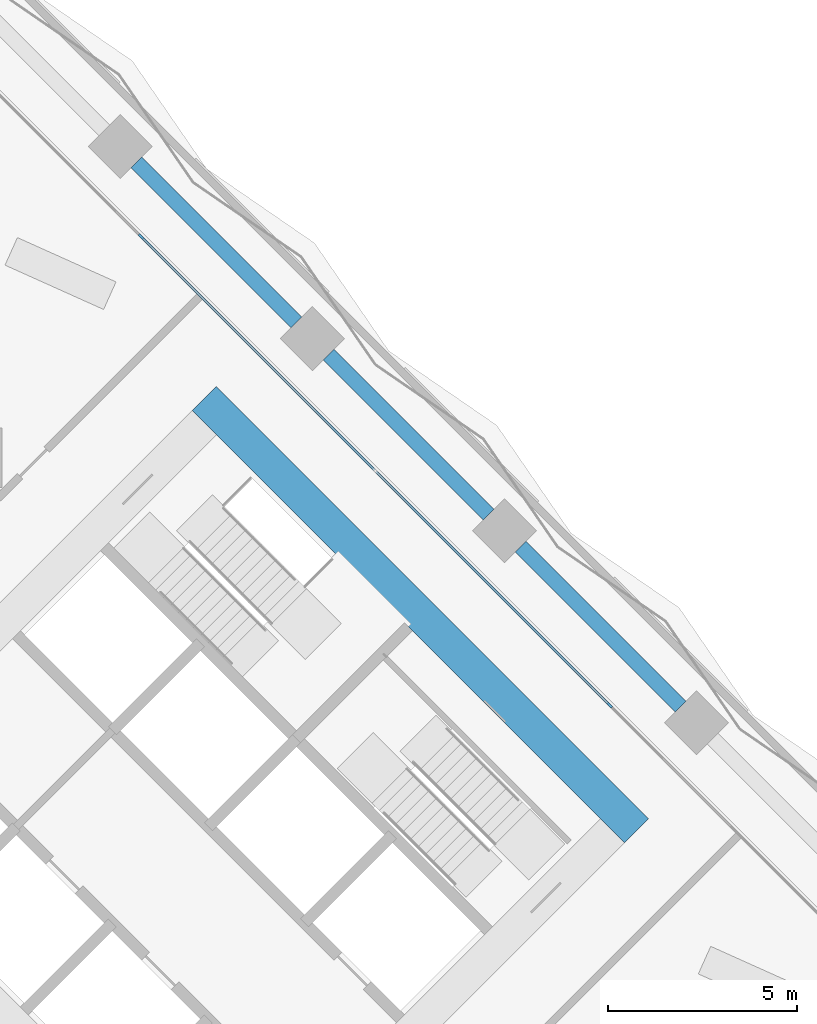
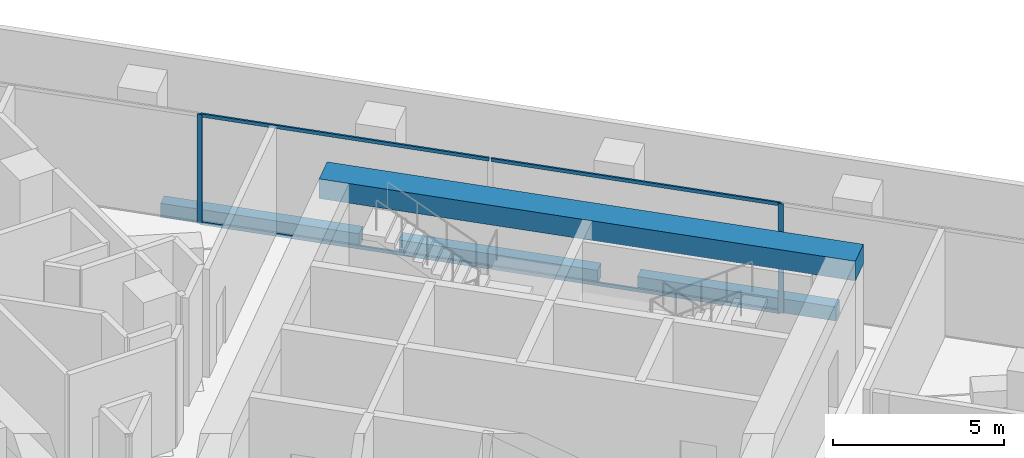
# One storey, part 11 of 24: 6 members, 4 beams, 1 element without a shape of its own.
"""IFC4 building model written with IfcOpenShell, lengths in metres."""

from ifc_helpers import new_model, si_unit, direction, frame, origin, origin_2d, place, context, subcontext, project, spatial, rectangle, extrude, material, material_profile, profile_set, type_object, element, aggregate, save


model = new_model("IFC4")

# Units and contexts
model_context = context("Model", 3, precision=1e-05, world=origin(), true_north=direction((0.0, 1.0)))
body_context = subcontext(model_context, "Body", "Model", "MODEL_VIEW")
ifc_project = project(units=[si_unit("LENGTHUNIT", "METRE"), si_unit("AREAUNIT", "SQUARE_METRE"), si_unit("VOLUMEUNIT", "CUBIC_METRE"), si_unit("PLANEANGLEUNIT", "RADIAN"), si_unit("MASSUNIT", "GRAM", prefix="KILO")], contexts=[model_context])

# Site, building, storey
site_placement = place(None, origin())
site = spatial("IfcSite", under=ifc_project, at=site_placement, CompositionType="ELEMENT")
building_placement = place(site_placement, origin())
building = spatial("IfcBuilding", under=site, at=building_placement, Name="Windrow Commons", CompositionType="ELEMENT")
storey_placement = place(building_placement, frame((0.0, 0.0, 67.8)))
storey = spatial("IfcBuildingStorey", under=building, at=storey_placement, Name="L18", CompositionType="ELEMENT", Elevation=67.8)

# Curtain wall, members
ifc_material_1 = material(Name="Clear laminated glass in Aluminium 6063-T6 anodised frame", Category="aluminium")
curtain_wall_type = type_object("IfcCurtainWallType", Name="Curtain wall CW2 sky lounge", PredefinedType="USERDEFINED", material=ifc_material_1)
curtain_wall_placement = place(storey_placement, origin())
curtain_wall = element("IfcCurtainWall", 1, at=curtain_wall_placement, inside=storey, type_object=curtain_wall_type, Name="Curtain wall CW2 L18 3", ObjectType="UNITISED", PredefinedType="USERDEFINED")
ifc_material_2 = material(Name="Aluminium 6063-T6", Category="aluminium")
ifc_material_profile_1 = material_profile(ifc_material_2, rectangle(XDim=0.06, YDim=0.16, at=origin_2d()))
ifc_profile_set_1 = profile_set([ifc_material_profile_1], Name="Aluminium 6063-T6")
member_type_1 = type_object("IfcMemberType", Name="CW2 mullion 60x160", PredefinedType="MULLION", material=ifc_profile_set_1)
member_1_placement = place(storey_placement, frame((97.2586, 52.1028, 0.0), z_axis=(0.0, 0.0, 1.0), x_axis=(-0.7071067812, -0.7071067812, 0.0)))
member_1 = element("IfcMember", 2, at=member_1_placement, type_object=member_type_1, Name="CW2 mullion 3", PredefinedType="MULLION", context=body_context, shape_type="SweptSolid", body=[
    extrude(rectangle(XDim=0.06, YDim=0.16, at=origin_2d()), origin(), (0.0, 0.0, 1.0), 3.9),
])
member_2_placement = place(storey_placement, frame((84.841, 64.5205, 0.0), z_axis=(0.0, 0.0, 1.0), x_axis=(-0.7071067812, -0.7071067812, 0.0)))
member_2 = element("IfcMember", 3, at=member_2_placement, type_object=member_type_1, Name="CW2 mullion 5", PredefinedType="MULLION", context=body_context, shape_type="SweptSolid", body=[
    extrude(rectangle(XDim=0.06, YDim=0.16, at=origin_2d()), origin(), (0.0, 0.0, 1.0), 3.9),
])
ifc_material_3 = material(Name="Aluminium 6063-T6", Category="aluminium")
ifc_material_profile_2 = material_profile(ifc_material_3, rectangle(XDim=0.06, YDim=0.12, at=origin_2d()))
ifc_profile_set_2 = profile_set([ifc_material_profile_2], Name="Aluminium 6063-T6")
member_type_2 = type_object("IfcMemberType", Name="CW2 transom 60x120", PredefinedType="USERDEFINED", material=ifc_profile_set_2)
member_3_placement = place(storey_placement, frame((97.2374, 52.124, 0.03), z_axis=(-0.7071067812, 0.7071067812, 0.0), x_axis=(-0.7071067812, -0.7071067812, 0.0)))
member_3 = element("IfcMember", 4, at=member_3_placement, type_object=member_type_2, Name="CW2 transom 3.1", ObjectType="TRANSOM", PredefinedType="USERDEFINED", context=body_context, shape_type="SweptSolid", body=[
    extrude(rectangle(XDim=0.06, YDim=0.12, at=origin_2d()), origin(), (0.0, 0.0, 1.0), 8.7206),
])
member_4_placement = place(storey_placement, frame((97.2374, 52.124, 3.87), z_axis=(-0.7071067812, 0.7071067812, 0.0), x_axis=(-0.7071067812, -0.7071067812, 0.0)))
member_4 = element("IfcMember", 5, at=member_4_placement, type_object=member_type_2, Name="CW2 transom 3.2", ObjectType="TRANSOM", PredefinedType="USERDEFINED", context=body_context, shape_type="SweptSolid", body=[
    extrude(rectangle(XDim=0.06, YDim=0.12, at=origin_2d()), origin(), (0.0, 0.0, 1.0), 8.7206),
])
member_5_placement = place(storey_placement, frame((91.0286, 58.3329, 0.03), z_axis=(-0.7071067812, 0.7071067812, 0.0), x_axis=(-0.7071067812, -0.7071067812, 0.0)))
member_5 = element("IfcMember", 6, at=member_5_placement, type_object=member_type_2, Name="CW2 transom 4.1", ObjectType="TRANSOM", PredefinedType="USERDEFINED", context=body_context, shape_type="SweptSolid", body=[
    extrude(rectangle(XDim=0.06, YDim=0.12, at=origin_2d()), origin(), (0.0, 0.0, 1.0), 8.7206),
])
member_6_placement = place(storey_placement, frame((91.0286, 58.3329, 3.87), z_axis=(-0.7071067812, 0.7071067812, 0.0), x_axis=(-0.7071067812, -0.7071067812, 0.0)))
member_6 = element("IfcMember", 7, at=member_6_placement, type_object=member_type_2, Name="CW2 transom 4.2", ObjectType="TRANSOM", PredefinedType="USERDEFINED", context=body_context, shape_type="SweptSolid", body=[
    extrude(rectangle(XDim=0.06, YDim=0.12, at=origin_2d()), origin(), (0.0, 0.0, 1.0), 8.7206),
])
aggregate(curtain_wall, [member_1, member_2, member_3, member_4, member_5, member_6])

# Beams
ifc_material_4 = material(Name="Concrete C60/75", Category="concrete")
ifc_material_profile_3 = material_profile(ifc_material_4, rectangle(XDim=0.9, YDim=0.7, at=origin_2d()))
ifc_profile_set_3 = profile_set([ifc_material_profile_3], Name="Concrete C60/75")
beam_type_1 = type_object("IfcBeamType", Name="RC COUPLING BEAM 900x700 C60/75", PredefinedType="LINTEL", material=ifc_profile_set_3)
beam_1_placement = place(storey_placement, frame((86.5186, 60.2267, 3.55), z_axis=(0.7071036948, -0.7071098676, 0.0), x_axis=(0.7071098676, 0.7071036948, 0.0)))
element("IfcBeam", 8, at=beam_1_placement, inside=storey, type_object=beam_type_1, Name="Core B coupling beam outer-N", PredefinedType="LINTEL", context=body_context, shape_type="SweptSolid", body=[
    extrude(rectangle(XDim=0.9, YDim=0.7, at=origin_2d()), origin(), (0.0, 0.0, 1.0), 16.2),
])
ifc_material_5 = material(Name="Concrete C60/75", Category="concrete")
ifc_material_profile_4 = material_profile(ifc_material_5, rectangle(XDim=0.4, YDim=0.5, at=origin_2d()))
ifc_profile_set_4 = profile_set([ifc_material_profile_4], Name="Concrete C60/75")
beam_type_2 = type_object("IfcBeamType", Name="RC EDGE BEAM 400x500 C60/75", PredefinedType="SPANDREL", material=ifc_profile_set_4)
beam_2_placement = place(storey_placement, frame((84.7155, 66.4845, -0.55), z_axis=(0.7071067812, -0.7071067812, 0.0), x_axis=(0.7071067812, 0.7071067812, 0.0)))
element("IfcBeam", 9, at=beam_2_placement, inside=storey, type_object=beam_type_2, Name="Edge beam L18 014", PredefinedType="SPANDREL", context=body_context, shape_type="SweptSolid", body=[
    extrude(rectangle(XDim=0.4, YDim=0.5, at=origin_2d()), origin(), (0.0, 0.0, 1.0), 5.9998),
])
for number, where, z_axis, x_axis, name in (
    (10, (89.8066, 61.3934, -0.55), (0.7071067812, -0.7071067812, 0.0), (0.7071067812, 0.7071067812, 0.0), "Edge beam L18 015"),
    (11, (94.8978, 56.3022, -0.55), (0.7071067812, -0.7071067812, 0.0), (0.7071067812, 0.7071067812, 0.0), "Edge beam L18 016"),
):
    element("IfcBeam", number, at=place(storey_placement, frame(where, z_axis=z_axis, x_axis=x_axis)), inside=storey, type_object=beam_type_2, Name=name, PredefinedType="SPANDREL", context=body_context, shape_type="SweptSolid", body=[
        extrude(rectangle(XDim=0.4, YDim=0.5, at=origin_2d()), origin(), (0.0, 0.0, 1.0), 5.9999),
    ])

save(model, "model.ifc")
